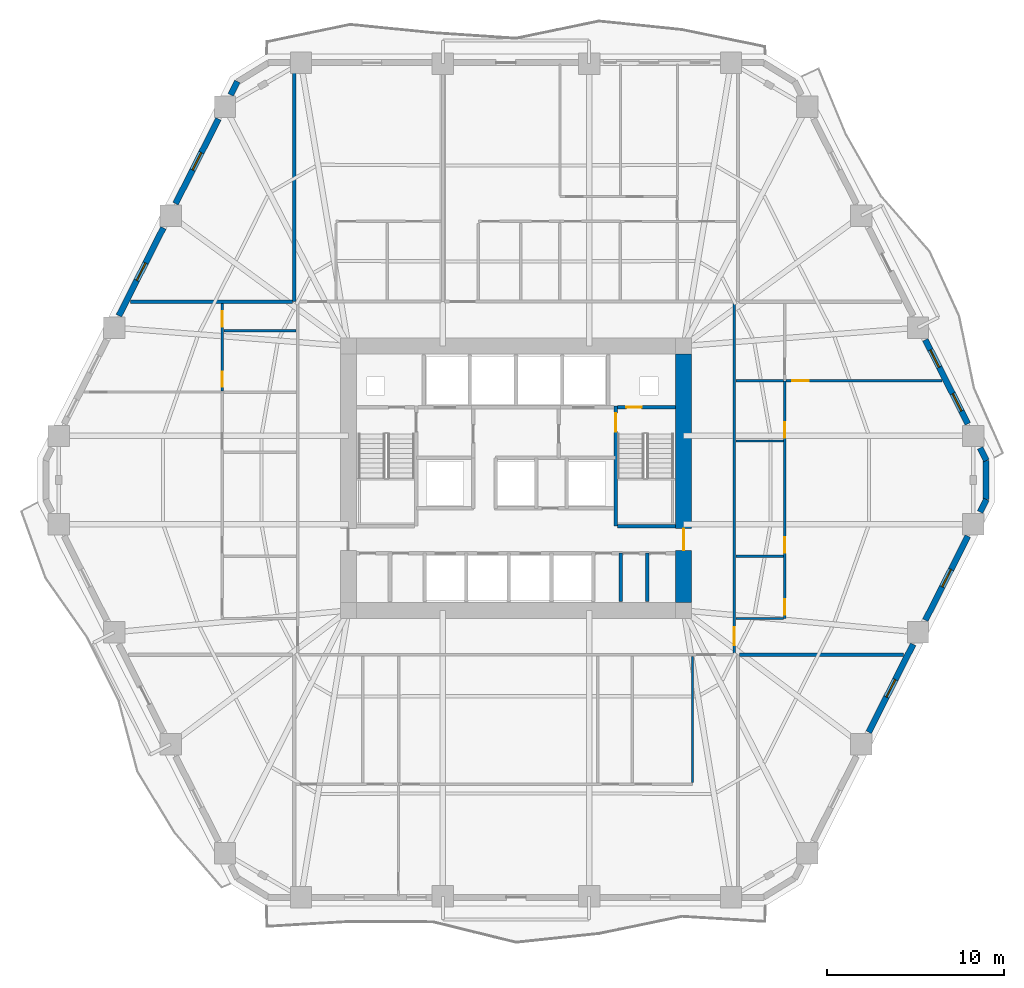
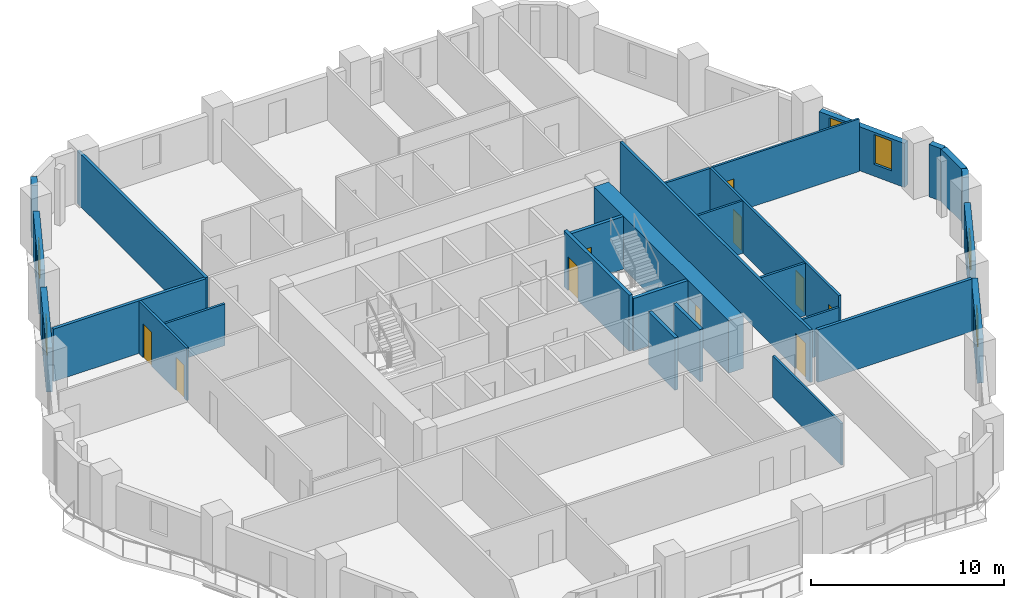
# One storey, part 6 of 11: 28 walls, 10 doors, 6 windows, 16 openings.
"""IFC4 building model written with IfcOpenShell, lengths in metres."""

from ifc_helpers import new_model, si_unit, direction, frame, frame_2d, origin, place, context, subcontext, project, spatial, rectangle, extrude, material, layer, layer_set, type_object, element, fill, save


model = new_model("IFC4")

# Units and contexts
model_context = context("Model", 3, precision=1e-05, world=origin(), true_north=direction((0.0, 1.0)))
body_context = subcontext(model_context, "Body", "Model", "MODEL_VIEW")
ifc_project = project(units=[si_unit("LENGTHUNIT", "METRE"), si_unit("AREAUNIT", "SQUARE_METRE"), si_unit("VOLUMEUNIT", "CUBIC_METRE"), si_unit("PLANEANGLEUNIT", "RADIAN"), si_unit("MASSUNIT", "GRAM", prefix="KILO")], contexts=[model_context])

# Site, building, storey
site_placement = place(None, origin())
site = spatial("IfcSite", under=ifc_project, at=site_placement, CompositionType="ELEMENT")
building_placement = place(site_placement, origin())
building = spatial("IfcBuilding", under=site, at=building_placement, Name="Cinnabar Lancet Tower", CompositionType="ELEMENT")
storey_placement = place(building_placement, frame((0.0, 0.0, 46.199951171875)))
storey = spatial("IfcBuildingStorey", under=building, at=storey_placement, Name="L11", CompositionType="ELEMENT", Elevation=46.199951171875)

# Wall, opening, door
ifc_material_1 = material(Name="Acoustic twin-stud gypsum partition", Category="gypsum")
ifc_layer_1 = layer(ifc_material_1, 0.159912109375)
ifc_layer_set_1 = layer_set([ifc_layer_1], Name="Acoustic twin-stud gypsum partition")
wall_type_1 = type_object("IfcWallType", Name="ARC-WL-CORR-160", PredefinedType="PARTITIONING", material=ifc_layer_set_1)
wall_1_placement = place(storey_placement, frame((44.699951171875, 16.044921875, 0.0), z_axis=(0.0, 0.0, 1.0), x_axis=(0.0, 1.0, 0.0)))
wall_1 = element("IfcWall", 1, at=wall_1_placement, inside=storey, type_object=wall_type_1, Name="UW-L11-E01-COR", PredefinedType="PARTITIONING", context=body_context, shape_type="SweptSolid", body=[
    extrude(rectangle(XDim=19.7099609375, YDim=0.159912109375, at=frame_2d((9.85498046875, 0.0))), origin(), (0.0, 0.0, 1.0), 3.330078125),
])
opening_1_placement = place(wall_1_placement, frame((0.449951171875, 0.0, 0.0)))
opening_1 = element("IfcOpeningElement", 2, at=opening_1_placement, cuts=wall_1, Name="Opening UD-01", PredefinedType="OPENING", context=body_context, shape_type="SweptSolid", body=[
    extrude(rectangle(XDim=1.02001953125, YDim=2.25, at=frame_2d((0.510009765625, 1.125))), frame((0.0, 0.08984375, 0.0), z_axis=(0.0, -1.0, 0.0), x_axis=(1.0, 0.0, 0.0)), (0.0, 0.0, 1.0), 0.179931640625),
])
ifc_material_2 = material(Name="Solid timber fire-rated apartment entrance door", Category="wood")
door_type_1 = type_object("IfcDoorType", Name="ARC-DR-UNIT", OperationType="NOTDEFINED", PredefinedType="DOOR", material=ifc_material_2)
door_1_placement = place(opening_1_placement, origin())
door_1 = element("IfcDoor", 3, at=door_1_placement, inside=storey, type_object=door_type_1, Name="DR-L11-E01-ENT", OperationType="SINGLE_SWING_LEFT", OverallHeight=2.25, OverallWidth=1.02001953125, PredefinedType="DOOR", context=body_context, shape_type="SweptSolid", body=[
    extrude(rectangle(XDim=1.02001953125, YDim=2.25, at=frame_2d((0.510009765625, 1.125))), frame((0.0, 0.02490234375, 0.0), z_axis=(0.0, -1.0, 0.0), x_axis=(1.0, 0.0, 0.0)), (0.0, 0.0, 1.0), 0.050048828125),
])
fill(opening_1, door_1)

# Walls
ifc_material_3 = material(Name="Fire-rated twin-frame acoustic drywall", Category="gypsum")
ifc_layer_2 = layer(ifc_material_3, 0.179931640625)
ifc_layer_set_2 = layer_set([ifc_layer_2], Name="Fire-rated twin-frame acoustic drywall")
wall_type_2 = type_object("IfcWallType", Name="ARC-WL-PARTY-180", PredefinedType="PARTITIONING", material=ifc_layer_set_2)
wall_2_placement = place(storey_placement, frame((19.89990234375, 35.85009765625, 0.0), z_axis=(0.0, 0.0, 1.0), x_axis=(0.0, 1.0, 0.0)))
element("IfcWall", 4, at=wall_2_placement, inside=storey, type_object=wall_type_2, Name="PW-L11-NPTY-199", PredefinedType="PARTITIONING", context=body_context, shape_type="SweptSolid", body=[
    extrude(rectangle(XDim=13.294921875, YDim=0.179931640625, at=frame_2d((6.6474609375, 0.0))), origin(), (0.0, 0.0, 1.0), 3.330078125),
])
wall_3_placement = place(storey_placement, frame((44.9951171875, 15.949951171875, 0.0), z_axis=(0.0, 0.0, 1.0), x_axis=(1.0, 0.0, 0.0)))
element("IfcWall", 5, at=wall_3_placement, inside=storey, type_object=wall_type_2, Name="PW-L11-ESB", PredefinedType="PARTITIONING", context=body_context, shape_type="SweptSolid", body=[
    extrude(rectangle(XDim=9.240966796875, YDim=0.179931640625, at=frame_2d((4.62060546875, 0.0))), origin(), (0.0, 0.0, 1.0), 3.330078125),
])
wall_4_placement = place(storey_placement, frame((10.6650390625, 35.85009765625, 0.0), z_axis=(0.0, 0.0, 1.0), x_axis=(1.0, 0.0, 0.0)))
element("IfcWall", 6, at=wall_4_placement, inside=storey, type_object=wall_type_2, Name="PW-L11-WNB", PredefinedType="PARTITIONING", context=body_context, shape_type="SweptSolid", body=[
    extrude(rectangle(XDim=9.139892578125, YDim=0.179931640625, at=frame_2d((4.56982421875, 0.0))), origin(), (0.0, 0.0, 1.0), 3.330078125),
])
ifc_material_4 = material(Name="Autoclaved aerated concrete blockwork", Category="masonry")
ifc_layer_3 = layer(ifc_material_4, 0.199951171875)
ifc_layer_set_3 = layer_set([ifc_layer_3], Name="Autoclaved aerated concrete blockwork")
wall_type_3 = type_object("IfcWallType", Name="ARC-WL-SHAFT-200", PredefinedType="PLUMBINGWALL", material=ifc_layer_set_3)
wall_5_placement = place(storey_placement, frame((38.125, 23.199951171875, 0.0), z_axis=(0.0, 0.0, 1.0), x_axis=(1.0, 0.0, 0.0)))
element("IfcWall", 7, at=wall_5_placement, inside=storey, type_object=wall_type_3, Name="CW-ST2S-L11", PredefinedType="PLUMBINGWALL", context=body_context, shape_type="SweptSolid", body=[
    extrude(rectangle(XDim=3.27001953125, YDim=0.199951171875, at=frame_2d((1.635009765625, 0.0))), origin(), (0.0, 0.0, 1.0), 3.330078125),
])

# Wall, opening, door
wall_6_placement = place(storey_placement, frame((38.125, 29.89990234375, 0.0), z_axis=(0.0, 0.0, 1.0), x_axis=(1.0, 0.0, 0.0)))
wall_6 = element("IfcWall", 8, at=wall_6_placement, inside=storey, type_object=wall_type_3, Name="CW-NSH-E-L11", PredefinedType="PLUMBINGWALL", context=body_context, shape_type="SweptSolid", body=[
    extrude(rectangle(XDim=3.27001953125, YDim=0.199951171875, at=frame_2d((1.635009765625, 0.0))), origin(), (0.0, 0.0, 1.0), 3.330078125),
])
opening_2_placement = place(wall_6_placement, frame((0.5, 0.0, 0.0)))
opening_2 = element("IfcOpeningElement", 9, at=opening_2_placement, cuts=wall_6, Name="Opening PD-02", PredefinedType="OPENING", context=body_context, shape_type="SweptSolid", body=[
    extrude(rectangle(XDim=0.85009765625, YDim=2.050048828125, at=frame_2d((0.425048828125, 1.02490234375))), frame((0.0, 0.10986328125, 0.0), z_axis=(0.0, -1.0, 0.0), x_axis=(1.0, 0.0, 0.0)), (0.0, 0.0, 1.0), 0.219970703125),
])
ifc_material_5 = material(Name="Fire-rated steel riser access door", Category="steel")
door_type_2 = type_object("IfcDoorType", Name="ARC-DR-RISER", OperationType="NOTDEFINED", PredefinedType="DOOR", material=ifc_material_5)
door_2_placement = place(opening_2_placement, origin())
door_2 = element("IfcDoor", 10, at=door_2_placement, inside=storey, type_object=door_type_2, Name="L11 East Riser Access Door", OperationType="SINGLE_SWING_RIGHT", OverallHeight=2.050048828125, OverallWidth=0.85009765625, PredefinedType="DOOR", context=body_context, shape_type="SweptSolid", body=[
    extrude(rectangle(XDim=0.85009765625, YDim=2.050048828125, at=frame_2d((0.425048828125, 1.02490234375))), frame((0.0, 0.02490234375, 0.0), z_axis=(0.0, -1.0, 0.0), x_axis=(1.0, 0.0, 0.0)), (0.0, 0.0, 1.0), 0.050048828125),
])
fill(opening_2, door_2)

# Walls
for number, where, z_axis, x_axis, name in (
    (11, (38.300048828125, 18.949951171875, 0.0), (0.0, 0.0, 1.0), (0.0, 1.0, 0.0), "CW-SBC2-383-L11"),
    (12, (39.800048828125, 18.949951171875, 0.0), (0.0, 0.0, 1.0), (0.0, 1.0, 0.0), "CW-SBC2-398-L11"),
):
    element("IfcWall", number, at=place(storey_placement, frame(where, z_axis=z_axis, x_axis=x_axis)), inside=storey, type_object=wall_type_3, Name=name, PredefinedType="PLUMBINGWALL", context=body_context, shape_type="SweptSolid", body=[
        extrude(rectangle(XDim=2.72998046875, YDim=0.199951171875, at=frame_2d((1.364990234375, 0.0))), origin(), (0.0, 0.0, 1.0), 3.330078125),
    ])
ifc_material_6 = material(Name="Gypsum plasterboard stud partition", Category="gypsum")
ifc_layer_4 = layer(ifc_material_6, 0.125)
ifc_layer_set_4 = layer_set([ifc_layer_4], Name="Gypsum plasterboard stud partition")
wall_type_4 = type_object("IfcWallType", Name="ARC-WL-UNIT-125", PredefinedType="PARTITIONING", material=ifc_layer_set_4)
wall_7_placement = place(storey_placement, frame((42.35009765625, 8.76806640625, 0.0), z_axis=(0.0, 0.0, 1.0), x_axis=(0.0, 1.0, 0.0)))
element("IfcWall", 13, at=wall_7_placement, inside=storey, type_object=wall_type_4, Name="UW-L11-S01-FOYW", PredefinedType="PARTITIONING", context=body_context, shape_type="SweptSolid", body=[
    extrude(rectangle(XDim=7.096923828125, YDim=0.125, at=frame_2d((3.54833984375, 0.0))), origin(), (0.0, 0.0, 1.0), 2.636962890625),
])
wall_8_placement = place(storey_placement, frame((44.784912109375, 18.0, 0.0), z_axis=(0.0, 0.0, 1.0), x_axis=(1.0, 0.0, 0.0)))
element("IfcWall", 14, at=wall_8_placement, inside=storey, type_object=wall_type_4, Name="UW-L11-E01-FOYN", PredefinedType="PARTITIONING", context=body_context, shape_type="SweptSolid", body=[
    extrude(rectangle(XDim=2.68017578125, YDim=0.125, at=frame_2d((1.340087890625, 0.0))), origin(), (0.0, 0.0, 1.0), 2.636962890625),
])

# Wall, opening, door
wall_9_placement = place(storey_placement, frame((47.625, 31.39208984375, 0.0), z_axis=(0.0, 0.0, 1.0), x_axis=(1.0, 0.0, 0.0)))
wall_9 = element("IfcWall", 15, at=wall_9_placement, inside=storey, type_object=wall_type_4, Name="UW-L11-E01-MBN", PredefinedType="PARTITIONING", context=body_context, shape_type="SweptSolid", body=[
    extrude(rectangle(XDim=8.781005859375, YDim=0.125, at=frame_2d((4.390625, 0.0))), origin(), (0.0, 0.0, 1.0), 3.330078125),
])
opening_3_placement = place(wall_9_placement, frame((0.35009765625, 0.0, 0.0)))
opening_3 = element("IfcOpeningElement", 16, at=opening_3_placement, cuts=wall_9, Name="Opening RD-01", PredefinedType="OPENING", context=body_context, shape_type="SweptSolid", body=[
    extrude(rectangle(XDim=0.919921875, YDim=2.14990234375, at=frame_2d((0.4599609375, 1.074951171875))), frame((0.0, 0.072509765625, 0.0), z_axis=(0.0, -1.0, 0.0), x_axis=(1.0, 0.0, 0.0)), (0.0, 0.0, 1.0), 0.14501953125),
])
ifc_material_7 = material(Name="Engineered timber bedroom door", Category="wood")
door_type_3 = type_object("IfcDoorType", Name="ARC-DR-ROOM", OperationType="NOTDEFINED", PredefinedType="DOOR", material=ifc_material_7)
door_3_placement = place(opening_3_placement, origin())
door_3 = element("IfcDoor", 17, at=door_3_placement, inside=storey, type_object=door_type_3, Name="DR-L11-E01-MBD", OperationType="SINGLE_SWING_LEFT", OverallHeight=2.14990234375, OverallWidth=0.919921875, PredefinedType="DOOR", context=body_context, shape_type="SweptSolid", body=[
    extrude(rectangle(XDim=0.919921875, YDim=2.14990234375, at=frame_2d((0.4599609375, 1.074951171875))), frame((0.0, 0.02490234375, 0.0), z_axis=(0.0, -1.0, 0.0), x_axis=(1.0, 0.0, 0.0)), (0.0, 0.0, 1.0), 0.050048828125),
])
fill(opening_3, door_3)

# Wall
wall_10_placement = place(storey_placement, frame((44.784912109375, 27.991943359375, 0.0), z_axis=(0.0, 0.0, 1.0), x_axis=(1.0, 0.0, 0.0)))
element("IfcWall", 18, at=wall_10_placement, inside=storey, type_object=wall_type_4, Name="UW-L11-E01-UDV", PredefinedType="PARTITIONING", context=body_context, shape_type="SweptSolid", body=[
    extrude(rectangle(XDim=2.68017578125, YDim=0.125, at=frame_2d((1.340087890625, 0.0))), origin(), (0.0, 0.0, 1.0), 3.330078125),
])

# Wall, openings, doors
ifc_material_8 = material(Name="Moisture-resistant cement-board plumbing wall", Category="masonry")
ifc_layer_5 = layer(ifc_material_8, 0.139892578125)
ifc_layer_set_5 = layer_set([ifc_layer_5], Name="Moisture-resistant cement-board plumbing wall")
wall_type_5 = type_object("IfcWallType", Name="ARC-WL-WET-140", PredefinedType="PLUMBINGWALL", material=ifc_layer_set_5)
wall_11_placement = place(storey_placement, frame((15.85009765625, 30.824951171875, 0.0), z_axis=(0.0, 0.0, 1.0), x_axis=(0.0, 1.0, 0.0)))
wall_11 = element("IfcWall", 19, at=wall_11_placement, inside=storey, type_object=wall_type_5, Name="UW-L11-W01-SPM", PredefinedType="PLUMBINGWALL", context=body_context, shape_type="SweptSolid", body=[
    extrude(rectangle(XDim=4.929931640625, YDim=0.139892578125, at=frame_2d((2.46484375, 0.0))), origin(), (0.0, 0.0, 1.0), 3.330078125),
])
opening_4_placement = place(wall_11_placement, frame((0.219970703125, 0.0, 0.0)))
opening_4 = element("IfcOpeningElement", 20, at=opening_4_placement, cuts=wall_11, Name="Opening BD-01", PredefinedType="OPENING", context=body_context, shape_type="SweptSolid", body=[
    extrude(rectangle(XDim=0.860107421875, YDim=2.10009765625, at=frame_2d((0.43017578125, 1.050048828125))), frame((0.0, 0.079833984375, 0.0), z_axis=(0.0, -1.0, 0.0), x_axis=(1.0, 0.0, 0.0)), (0.0, 0.0, 1.0), 0.159912109375),
])
opening_5_placement = place(wall_11_placement, frame((3.611083984375, 0.0, 0.0)))
opening_5 = element("IfcOpeningElement", 21, at=opening_5_placement, cuts=wall_11, Name="Opening RD-02", PredefinedType="OPENING", context=body_context, shape_type="SweptSolid", body=[
    extrude(rectangle(XDim=0.8798828125, YDim=2.14990234375, at=frame_2d((0.43994140625, 1.074951171875))), frame((0.0, 0.079833984375, 0.0), z_axis=(0.0, -1.0, 0.0), x_axis=(1.0, 0.0, 0.0)), (0.0, 0.0, 1.0), 0.159912109375),
])
ifc_material_9 = material(Name="Moisture-resistant timber bathroom door", Category="wood")
door_type_4 = type_object("IfcDoorType", Name="ARC-DR-BATH", OperationType="NOTDEFINED", PredefinedType="DOOR", material=ifc_material_9)
door_4_placement = place(opening_4_placement, origin())
door_4 = element("IfcDoor", 22, at=door_4_placement, inside=storey, type_object=door_type_4, Name="DR-L11-W01-ENS", OperationType="SINGLE_SWING_RIGHT", OverallHeight=2.10009765625, OverallWidth=0.860107421875, PredefinedType="DOOR", context=body_context, shape_type="SweptSolid", body=[
    extrude(rectangle(XDim=0.860107421875, YDim=2.10009765625, at=frame_2d((0.43017578125, 1.050048828125))), frame((0.0, 0.02490234375, 0.0), z_axis=(0.0, -1.0, 0.0), x_axis=(1.0, 0.0, 0.0)), (0.0, 0.0, 1.0), 0.050048828125),
])
fill(opening_4, door_4)
ifc_material_10 = material(Name="Engineered timber study door", Category="wood")
door_type_5 = type_object("IfcDoorType", Name="ARC-DR-STUDY", OperationType="NOTDEFINED", PredefinedType="DOOR", material=ifc_material_10)
door_5_placement = place(opening_5_placement, origin())
door_5 = element("IfcDoor", 23, at=door_5_placement, inside=storey, type_object=door_type_5, Name="DR-L11-W01-EWDR", OperationType="SINGLE_SWING_LEFT", OverallHeight=2.14990234375, OverallWidth=0.8798828125, PredefinedType="DOOR", context=body_context, shape_type="SweptSolid", body=[
    extrude(rectangle(XDim=0.8798828125, YDim=2.14990234375, at=frame_2d((0.43994140625, 1.074951171875))), frame((0.0, 0.02490234375, 0.0), z_axis=(0.0, -1.0, 0.0), x_axis=(1.0, 0.0, 0.0)), (0.0, 0.0, 1.0), 0.050048828125),
])
fill(opening_5, door_5)

# Wall
wall_12_placement = place(storey_placement, frame((15.93505859375, 34.216064453125, 0.0), z_axis=(0.0, 0.0, 1.0), x_axis=(1.0, 0.0, 0.0)))
element("IfcWall", 24, at=wall_12_placement, inside=storey, type_object=wall_type_5, Name="UW-L11-W01-EWDV", PredefinedType="PLUMBINGWALL", context=body_context, shape_type="SweptSolid", body=[
    extrude(rectangle(XDim=4.079833984375, YDim=0.139892578125, at=frame_2d((2.0400390625, 0.0))), origin(), (0.0, 0.0, 1.0), 2.636962890625),
])

# Wall, openings, doors
wall_13_placement = place(storey_placement, frame((47.550048828125, 18.0, 0.0), z_axis=(0.0, 0.0, 1.0), x_axis=(0.0, 1.0, 0.0)))
wall_13 = element("IfcWall", 25, at=wall_13_placement, inside=storey, type_object=wall_type_5, Name="UW-L11-E01-SPL", PredefinedType="PLUMBINGWALL", context=body_context, shape_type="SweptSolid", body=[
    extrude(rectangle(XDim=13.39208984375, YDim=0.139892578125, at=frame_2d((6.696044921875, 0.0))), origin(), (0.0, 0.0, 1.0), 3.330078125),
])
opening_6_placement = place(wall_13_placement, frame((0.199951171875, 0.0, 0.0)))
opening_6 = element("IfcOpeningElement", 26, at=opening_6_placement, cuts=wall_13, Name="Opening RD-02", PredefinedType="OPENING", context=body_context, shape_type="SweptSolid", body=[
    extrude(rectangle(XDim=0.8798828125, YDim=2.14990234375, at=frame_2d((0.43994140625, 1.074951171875))), frame((0.0, 0.079833984375, 0.0), z_axis=(0.0, -1.0, 0.0), x_axis=(1.0, 0.0, 0.0)), (0.0, 0.0, 1.0), 0.159912109375),
])
opening_7_placement = place(wall_13_placement, frame((3.699951171875, 0.0, 0.0)))
opening_7 = element("IfcOpeningElement", 27, at=opening_7_placement, cuts=wall_13, Name="Opening RD-02", PredefinedType="OPENING", context=body_context, shape_type="SweptSolid", body=[
    extrude(rectangle(XDim=0.8798828125, YDim=2.14990234375, at=frame_2d((0.43994140625, 1.074951171875))), frame((0.0, 0.079833984375, 0.0), z_axis=(0.0, -1.0, 0.0), x_axis=(1.0, 0.0, 0.0)), (0.0, 0.0, 1.0), 0.159912109375),
])
opening_8_placement = place(wall_13_placement, frame((10.19189453125, 0.0, 0.0)))
opening_8 = element("IfcOpeningElement", 28, at=opening_8_placement, cuts=wall_13, Name="Opening BD-01", PredefinedType="OPENING", context=body_context, shape_type="SweptSolid", body=[
    extrude(rectangle(XDim=0.860107421875, YDim=2.10009765625, at=frame_2d((0.43017578125, 1.050048828125))), frame((0.0, 0.079833984375, 0.0), z_axis=(0.0, -1.0, 0.0), x_axis=(1.0, 0.0, 0.0)), (0.0, 0.0, 1.0), 0.159912109375),
])
door_6_placement = place(opening_8_placement, origin())
door_6 = element("IfcDoor", 29, at=door_6_placement, inside=storey, type_object=door_type_4, Name="DR-L11-E01-BTH", OperationType="SINGLE_SWING_RIGHT", OverallHeight=2.10009765625, OverallWidth=0.860107421875, PredefinedType="DOOR", context=body_context, shape_type="SweptSolid", body=[
    extrude(rectangle(XDim=0.860107421875, YDim=2.10009765625, at=frame_2d((0.43017578125, 1.050048828125))), frame((0.0, 0.02490234375, 0.0), z_axis=(0.0, -1.0, 0.0), x_axis=(1.0, 0.0, 0.0)), (0.0, 0.0, 1.0), 0.050048828125),
])
fill(opening_8, door_6)
door_7_placement = place(opening_6_placement, origin())
door_7 = element("IfcDoor", 30, at=door_7_placement, inside=storey, type_object=door_type_5, Name="DR-L11-E01-KIT", OperationType="SINGLE_SWING_RIGHT", OverallHeight=2.14990234375, OverallWidth=0.8798828125, PredefinedType="DOOR", context=body_context, shape_type="SweptSolid", body=[
    extrude(rectangle(XDim=0.8798828125, YDim=2.14990234375, at=frame_2d((0.43994140625, 1.074951171875))), frame((0.0, 0.02490234375, 0.0), z_axis=(0.0, -1.0, 0.0), x_axis=(1.0, 0.0, 0.0)), (0.0, 0.0, 1.0), 0.050048828125),
])
fill(opening_6, door_7)
door_8_placement = place(opening_7_placement, origin())
door_8 = element("IfcDoor", 31, at=door_8_placement, inside=storey, type_object=door_type_5, Name="DR-L11-E01-UTL", OperationType="SINGLE_SWING_LEFT", OverallHeight=2.14990234375, OverallWidth=0.8798828125, PredefinedType="DOOR", context=body_context, shape_type="SweptSolid", body=[
    extrude(rectangle(XDim=0.8798828125, YDim=2.14990234375, at=frame_2d((0.43994140625, 1.074951171875))), frame((0.0, 0.02490234375, 0.0), z_axis=(0.0, -1.0, 0.0), x_axis=(1.0, 0.0, 0.0)), (0.0, 0.0, 1.0), 0.050048828125),
])
fill(opening_7, door_8)

# Walls
for number, where, z_axis, x_axis, name in (
    (32, (44.784912109375, 31.39208984375, 0.0), (0.0, 0.0, 1.0), (1.0, 0.0, 0.0), "UW-L11-E01-ENSN"),
    (33, (44.784912109375, 21.5, 0.0), (0.0, 0.0, 1.0), (1.0, 0.0, 0.0), "UW-L11-E01-KDV"),
):
    element("IfcWall", number, at=place(storey_placement, frame(where, z_axis=z_axis, x_axis=x_axis)), inside=storey, type_object=wall_type_5, Name=name, PredefinedType="PLUMBINGWALL", context=body_context, shape_type="SweptSolid", body=[
        extrude(rectangle(XDim=2.68017578125, YDim=0.139892578125, at=frame_2d((1.340087890625, 0.0))), origin(), (0.0, 0.0, 1.0), 3.330078125),
    ])
ifc_material_11 = material(Name="Cinnabar red clay brick", Category="masonry")
ifc_layer_6 = layer(ifc_material_11, 0.340087890625)
ifc_layer_set_6 = layer_set([ifc_layer_6], Name="Cinnabar red clay brick")
wall_type_6 = type_object("IfcWallType", Name="ENV-WL-BRK-RED-340", PredefinedType="STANDARD", material=ifc_layer_set_6)
wall_14_placement = place(storey_placement, frame((58.887939453125, 24.714111328125, 0.0), z_axis=(0.0, 0.0, 1.0), x_axis=(0.0, 1.0, 0.0)))
element("IfcWall", 34, at=wall_14_placement, inside=storey, type_object=wall_type_6, Name="L11 Chamfered Corner Brick Pier 3.1", PredefinedType="STANDARD", context=body_context, shape_type="SweptSolid", body=[
    extrude(rectangle(XDim=2.171875, YDim=0.340087890625, at=frame_2d((1.0859375, 0.0))), origin(), (0.0, 0.0, 1.0), 3.330078125),
])

# Wall, opening, window
wall_15_placement = place(storey_placement, frame((52.27099609375, 11.590087890625, 0.0), z_axis=(0.0, 0.0, 1.0), x_axis=(0.451592100298, 0.892224509273, 0.0)))
wall_15 = element("IfcWall", 35, at=wall_15_placement, inside=storey, type_object=wall_type_6, Name="L11 Face 2 Masonry Bay Wall 3", PredefinedType="STANDARD", context=body_context, shape_type="SweptSolid", body=[
    extrude(rectangle(XDim=5.546875, YDim=0.340087890625, at=frame_2d((2.7734375, 0.0))), origin(), (0.0, 0.0, 1.0), 2.787109375),
])
opening_9_placement = place(wall_15_placement, frame((2.222900390625, 0.0, 0.75)))
opening_9 = element("IfcOpeningElement", 36, at=opening_9_placement, cuts=wall_15, Name="Opening WN-04", PredefinedType="OPENING", context=body_context, shape_type="SweptSolid", body=[
    extrude(rectangle(XDim=1.10009765625, YDim=1.886962890625, at=frame_2d((0.550048828125, 0.943359375))), frame((0.0, 0.179931640625, 0.0), z_axis=(0.0, -1.0, 0.0), x_axis=(1.0, 0.0, 0.0)), (0.0, 0.0, 1.0), 0.360107421875),
])
ifc_material_12 = material(Name="Thermally broken bronze-anodized aluminium tall lancet window", Category="aluminium")
window_type = type_object("IfcWindowType", Name="ENV-WN-LANCET-1100", PartitioningType="SINGLE_PANEL", PredefinedType="WINDOW", material=ifc_material_12)
window_1_placement = place(opening_9_placement, origin())
window_1 = element("IfcWindow", 37, at=window_1_placement, inside=storey, type_object=window_type, Name="L11 Face 2 Gothic Lancet Window 3", OverallHeight=1.886962890625, OverallWidth=1.10009765625, PartitioningType="SINGLE_PANEL", PredefinedType="WINDOW", context=body_context, shape_type="SweptSolid", body=[
    extrude(rectangle(XDim=1.10009765625, YDim=1.886962890625, at=frame_2d((0.550048828125, 0.943359375))), frame((0.0, 0.030029296875, 0.0), z_axis=(0.0, -1.0, 0.0), x_axis=(1.0, 0.0, 0.0)), (0.0, 0.0, 1.0), 0.06005859375),
])
fill(opening_9, window_1)

wall_16_placement = place(storey_placement, frame((55.465087890625, 17.90087890625, 0.0), z_axis=(0.0, 0.0, 1.0), x_axis=(0.451572088722, 0.892234637686, 0.0)))
wall_16 = element("IfcWall", 38, at=wall_16_placement, inside=storey, type_object=wall_type_6, Name="L11 Face 2 Masonry Bay Wall 4", PredefinedType="STANDARD", context=body_context, shape_type="SweptSolid", body=[
    extrude(rectangle(XDim=5.3037109375, YDim=0.340087890625, at=frame_2d((2.65185546875, 0.0))), origin(), (0.0, 0.0, 1.0), 2.787109375),
])
opening_10_placement = place(wall_16_placement, frame((2.10205078125, 0.0, 0.75)))
opening_10 = element("IfcOpeningElement", 39, at=opening_10_placement, cuts=wall_16, Name="Opening WN-04", PredefinedType="OPENING", context=body_context, shape_type="SweptSolid", body=[
    extrude(rectangle(XDim=1.10009765625, YDim=1.886962890625, at=frame_2d((0.550048828125, 0.943359375))), frame((0.0, 0.179931640625, 0.0), z_axis=(0.0, -1.0, 0.0), x_axis=(1.0, 0.0, 0.0)), (0.0, 0.0, 1.0), 0.360107421875),
])
window_2_placement = place(opening_10_placement, origin())
window_2 = element("IfcWindow", 40, at=window_2_placement, inside=storey, type_object=window_type, Name="L11 Face 2 Gothic Lancet Window 4", OverallHeight=1.886962890625, OverallWidth=1.10009765625, PartitioningType="SINGLE_PANEL", PredefinedType="WINDOW", context=body_context, shape_type="SweptSolid", body=[
    extrude(rectangle(XDim=1.10009765625, YDim=1.886962890625, at=frame_2d((0.550048828125, 0.943359375))), frame((0.0, 0.030029296875, 0.0), z_axis=(0.0, -1.0, 0.0), x_axis=(1.0, 0.0, 0.0)), (0.0, 0.0, 1.0), 0.06005859375),
])
fill(opening_10, window_2)

# Walls
for number, where, z_axis, x_axis, name in (
    (41, (58.548095703125, 23.9951171875, 0.0), (0.0, 0.0, 1.0), (0.452101093511, 0.891966704113, 0.0), "L11 Face 2 Masonry Bay Wall 5"),
    (42, (58.908935546875, 26.89306640625, 0.0), (0.0, 0.0, 1.0), (-0.452101093511, 0.891966704113, 0.0), "L11 Face 3 Masonry Bay Wall 1"),
):
    element("IfcWall", number, at=place(storey_placement, frame(where, z_axis=z_axis, x_axis=x_axis)), inside=storey, type_object=wall_type_6, Name=name, PredefinedType="STANDARD", context=body_context, shape_type="SweptSolid", body=[
        extrude(rectangle(XDim=0.798095703125, YDim=0.340087890625, at=frame_2d((0.39892578125, 0.0))), origin(), (0.0, 0.0, 1.0), 3.330078125),
    ])

# Wall, openings, windows
wall_17_placement = place(storey_placement, frame((57.860107421875, 28.967041015625, 0.0), z_axis=(0.0, 0.0, 1.0), x_axis=(-0.451590635984, 0.892225250422, 0.0)))
wall_17 = element("IfcWall", 43, at=wall_17_placement, inside=storey, type_object=wall_type_6, Name="L11 Face 3 Masonry Bay Wall 2", PredefinedType="STANDARD", context=body_context, shape_type="SweptSolid", body=[
    extrude(rectangle(XDim=5.303466796875, YDim=0.340087890625, at=frame_2d((2.65185546875, 0.0))), origin(), (0.0, 0.0, 1.0), 2.787109375),
])
opening_11_placement = place(wall_17_placement, frame((0.800048828125, 0.0, 0.75)))
opening_11 = element("IfcOpeningElement", 44, at=opening_11_placement, cuts=wall_17, Name="Opening WN-04", PredefinedType="OPENING", context=body_context, shape_type="SweptSolid", body=[
    extrude(rectangle(XDim=1.10009765625, YDim=1.886962890625, at=frame_2d((0.550048828125, 0.943359375))), frame((0.0, 0.179931640625, 0.0), z_axis=(0.0, -1.0, 0.0), x_axis=(1.0, 0.0, 0.0)), (0.0, 0.0, 1.0), 0.360107421875),
])
opening_12_placement = place(wall_17_placement, frame((3.572021484375, 0.0, 0.75)))
opening_12 = element("IfcOpeningElement", 45, at=opening_12_placement, cuts=wall_17, Name="Opening WN-04", PredefinedType="OPENING", context=body_context, shape_type="SweptSolid", body=[
    extrude(rectangle(XDim=1.10009765625, YDim=1.886962890625, at=frame_2d((0.550048828125, 0.943359375))), frame((0.0, 0.179931640625, 0.0), z_axis=(0.0, -1.0, 0.0), x_axis=(1.0, 0.0, 0.0)), (0.0, 0.0, 1.0), 0.360107421875),
])
window_3_placement = place(opening_11_placement, origin())
window_3 = element("IfcWindow", 46, at=window_3_placement, inside=storey, type_object=window_type, Name="L11 Face 3 Gothic Lancet Window 2", OverallHeight=1.886962890625, OverallWidth=1.10009765625, PartitioningType="SINGLE_PANEL", PredefinedType="WINDOW", context=body_context, shape_type="SweptSolid", body=[
    extrude(rectangle(XDim=1.10009765625, YDim=1.886962890625, at=frame_2d((0.550048828125, 0.943359375))), frame((0.0, 0.030029296875, 0.0), z_axis=(0.0, -1.0, 0.0), x_axis=(1.0, 0.0, 0.0)), (0.0, 0.0, 1.0), 0.06005859375),
])
fill(opening_11, window_3)
window_4_placement = place(opening_12_placement, origin())
window_4 = element("IfcWindow", 47, at=window_4_placement, inside=storey, type_object=window_type, Name="L11 Split-Bay Gothic Lancet Window 21", OverallHeight=1.886962890625, OverallWidth=1.10009765625, PartitioningType="SINGLE_PANEL", PredefinedType="WINDOW", context=body_context, shape_type="SweptSolid", body=[
    extrude(rectangle(XDim=1.10009765625, YDim=1.886962890625, at=frame_2d((0.550048828125, 0.943359375))), frame((0.0, 0.030029296875, 0.0), z_axis=(0.0, -1.0, 0.0), x_axis=(1.0, 0.0, 0.0)), (0.0, 0.0, 1.0), 0.06005859375),
])
fill(opening_12, window_4)

# Wall
wall_18_placement = place(storey_placement, frame((16.699951171875, 48.25390625, 0.0), z_axis=(0.0, 0.0, 1.0), x_axis=(-0.451995771866, -0.892020079491, 0.0)))
element("IfcWall", 48, at=wall_18_placement, inside=storey, type_object=wall_type_6, Name="L11 Face 5 Masonry Bay Wall 1", PredefinedType="STANDARD", context=body_context, shape_type="SweptSolid", body=[
    extrude(rectangle(XDim=0.836181640625, YDim=0.340087890625, at=frame_2d((0.41796875, 0.0))), origin(), (0.0, 0.0, 1.0), 3.330078125),
])

# Wall, opening, window
wall_19_placement = place(storey_placement, frame((15.634033203125, 46.14599609375, 0.0), z_axis=(0.0, 0.0, 1.0), x_axis=(-0.451697561555, -0.892171123095, 0.0)))
wall_19 = element("IfcWall", 49, at=wall_19_placement, inside=storey, type_object=wall_type_6, Name="L11 Face 5 Masonry Bay Wall 2", PredefinedType="STANDARD", context=body_context, shape_type="SweptSolid", body=[
    extrude(rectangle(XDim=5.350830078125, YDim=0.340087890625, at=frame_2d((2.67529296875, 0.0))), origin(), (0.0, 0.0, 1.0), 2.787109375),
])
opening_13_placement = place(wall_19_placement, frame((2.125, 0.0, 0.75)))
opening_13 = element("IfcOpeningElement", 50, at=opening_13_placement, cuts=wall_19, Name="Opening WN-04", PredefinedType="OPENING", context=body_context, shape_type="SweptSolid", body=[
    extrude(rectangle(XDim=1.10009765625, YDim=1.886962890625, at=frame_2d((0.550048828125, 0.943359375))), frame((0.0, 0.179931640625, 0.0), z_axis=(0.0, -1.0, 0.0), x_axis=(1.0, 0.0, 0.0)), (0.0, 0.0, 1.0), 0.360107421875),
])
window_5_placement = place(opening_13_placement, origin())
window_5 = element("IfcWindow", 51, at=window_5_placement, inside=storey, type_object=window_type, Name="L11 Face 5 Gothic Lancet Window 2", OverallHeight=1.886962890625, OverallWidth=1.10009765625, PartitioningType="SINGLE_PANEL", PredefinedType="WINDOW", context=body_context, shape_type="SweptSolid", body=[
    extrude(rectangle(XDim=1.10009765625, YDim=1.886962890625, at=frame_2d((0.550048828125, 0.943359375))), frame((0.0, 0.030029296875, 0.0), z_axis=(0.0, -1.0, 0.0), x_axis=(1.0, 0.0, 0.0)), (0.0, 0.0, 1.0), 0.06005859375),
])
fill(opening_13, window_5)

wall_20_placement = place(storey_placement, frame((12.529052734375, 40.010009765625, 0.0), z_axis=(0.0, 0.0, 1.0), x_axis=(-0.451627137896, -0.892206774417, 0.0)))
wall_20 = element("IfcWall", 52, at=wall_20_placement, inside=storey, type_object=wall_type_6, Name="L11 Face 5 Masonry Bay Wall 3", PredefinedType="STANDARD", context=body_context, shape_type="SweptSolid", body=[
    extrude(rectangle(XDim=5.546875, YDim=0.340087890625, at=frame_2d((2.7734375, 0.0))), origin(), (0.0, 0.0, 1.0), 2.787109375),
])
opening_14_placement = place(wall_20_placement, frame((2.222900390625, 0.0, 0.75)))
opening_14 = element("IfcOpeningElement", 53, at=opening_14_placement, cuts=wall_20, Name="Opening WN-04", PredefinedType="OPENING", context=body_context, shape_type="SweptSolid", body=[
    extrude(rectangle(XDim=1.10009765625, YDim=1.886962890625, at=frame_2d((0.550048828125, 0.943359375))), frame((0.0, 0.179931640625, 0.0), z_axis=(0.0, -1.0, 0.0), x_axis=(1.0, 0.0, 0.0)), (0.0, 0.0, 1.0), 0.360107421875),
])
window_6_placement = place(opening_14_placement, origin())
window_6 = element("IfcWindow", 54, at=window_6_placement, inside=storey, type_object=window_type, Name="L11 Face 5 Gothic Lancet Window 3", OverallHeight=1.886962890625, OverallWidth=1.10009765625, PartitioningType="SINGLE_PANEL", PredefinedType="WINDOW", context=body_context, shape_type="SweptSolid", body=[
    extrude(rectangle(XDim=1.10009765625, YDim=1.886962890625, at=frame_2d((0.550048828125, 0.943359375))), frame((0.0, 0.030029296875, 0.0), z_axis=(0.0, -1.0, 0.0), x_axis=(1.0, 0.0, 0.0)), (0.0, 0.0, 1.0), 0.06005859375),
])
fill(opening_14, window_6)

# Wall, opening, door
ifc_material_13 = material(Name="Concrete C80/95", Category="concrete")
ifc_layer_7 = layer(ifc_material_13, 0.89990234375)
ifc_layer_set_7 = layer_set([ifc_layer_7], Name="Concrete C80/95")
wall_type_7 = type_object("IfcWallType", Name="STR-WL-CORE-900", PredefinedType="SHEAR", material=ifc_layer_set_7)
wall_21_placement = place(storey_placement, frame((41.85009765625, 18.89990234375, 0.0), z_axis=(0.0, 0.0, 1.0), x_axis=(0.0, 1.0, 0.0)))
wall_21 = element("IfcWall", 55, at=wall_21_placement, inside=storey, type_object=wall_type_7, Name="L11 Core Shear Wall E", PredefinedType="SHEAR", context=body_context, shape_type="SweptSolid", body=[
    extrude(rectangle(XDim=14.0, YDim=0.89990234375, at=frame_2d((7.0, 0.0))), origin(), (0.0, 0.0, 1.0), 3.330078125),
])
opening_15_placement = place(wall_21_placement, frame((2.93994140625, 0.0, 0.0)))
opening_15 = element("IfcOpeningElement", 56, at=opening_15_placement, cuts=wall_21, Name="Opening FD-02", PredefinedType="OPENING", context=body_context, shape_type="SweptSolid", body=[
    extrude(rectangle(XDim=1.219970703125, YDim=2.25, at=frame_2d((0.60986328125, 1.125))), frame((0.0, 0.4599609375, 0.0), z_axis=(0.0, -1.0, 0.0), x_axis=(1.0, 0.0, 0.0)), (0.0, 0.0, 1.0), 0.919921875),
])
ifc_material_14 = material(Name="Fire-rated double-vision core portal door", Category="wood")
door_type_6 = type_object("IfcDoorType", Name="ARC-DR-CPORT", OperationType="NOTDEFINED", PredefinedType="DOOR", material=ifc_material_14)
door_9_placement = place(opening_15_placement, origin())
door_9 = element("IfcDoor", 57, at=door_9_placement, inside=storey, type_object=door_type_6, Name="L11 East Core Lobby Fire Door", OperationType="SINGLE_SWING_LEFT", OverallHeight=2.25, OverallWidth=1.219970703125, PredefinedType="DOOR", context=body_context, shape_type="SweptSolid", body=[
    extrude(rectangle(XDim=1.219970703125, YDim=2.25, at=frame_2d((0.60986328125, 1.125))), frame((0.0, 0.02490234375, 0.0), z_axis=(0.0, -1.0, 0.0), x_axis=(1.0, 0.0, 0.0)), (0.0, 0.0, 1.0), 0.050048828125),
])
fill(opening_15, door_9)

ifc_material_15 = material(Name="Concrete C50/60", Category="concrete")
ifc_layer_8 = layer(ifc_material_15, 0.199951171875)
ifc_layer_set_8 = layer_set([ifc_layer_8], Name="Concrete C50/60")
wall_type_8 = type_object("IfcWallType", Name="STR-WL-STAIR-200", PredefinedType="SHEAR", material=ifc_layer_set_8)
wall_22_placement = place(storey_placement, frame((38.02001953125, 23.199951171875, 0.0), z_axis=(0.0, 0.0, 1.0), x_axis=(0.0, 1.0, 0.0)))
wall_22 = element("IfcWall", 58, at=wall_22_placement, inside=storey, type_object=wall_type_8, Name="L11 Stair ST-2 Structural Enclosure Wall", PredefinedType="SHEAR", context=body_context, shape_type="SweptSolid", body=[
    extrude(rectangle(XDim=6.780029296875, YDim=0.199951171875, at=frame_2d((3.39013671875, 0.0))), origin(), (0.0, 0.0, 1.0), 3.550048828125),
])
opening_16_placement = place(wall_22_placement, frame((5.320068359375, 0.0, 0.0)))
opening_16 = element("IfcOpeningElement", 59, at=opening_16_placement, cuts=wall_22, Name="Opening SD-01", PredefinedType="OPENING", context=body_context, shape_type="SweptSolid", body=[
    extrude(rectangle(XDim=1.050048828125, YDim=2.14990234375, at=frame_2d((0.52490234375, 1.074951171875))), frame((0.0, 0.10986328125, 0.0), z_axis=(0.0, -1.0, 0.0), x_axis=(1.0, 0.0, 0.0)), (0.0, 0.0, 1.0), 0.219970703125),
])
ifc_material_16 = material(Name="Fire-rated steel stair exit door", Category="steel")
door_type_7 = type_object("IfcDoorType", Name="ARC-DR-STAIR", OperationType="NOTDEFINED", PredefinedType="DOOR", material=ifc_material_16)
door_10_placement = place(opening_16_placement, origin())
door_10 = element("IfcDoor", 60, at=door_10_placement, inside=storey, type_object=door_type_7, Name="L11 Stair ST-2 Fire Door", OperationType="SINGLE_SWING_RIGHT", OverallHeight=2.14990234375, OverallWidth=1.050048828125, PredefinedType="DOOR", context=body_context, shape_type="SweptSolid", body=[
    extrude(rectangle(XDim=1.050048828125, YDim=2.14990234375, at=frame_2d((0.52490234375, 1.074951171875))), frame((0.0, 0.02490234375, 0.0), z_axis=(0.0, -1.0, 0.0), x_axis=(1.0, 0.0, 0.0)), (0.0, 0.0, 1.0), 0.050048828125),
])
fill(opening_16, door_10)

save(model, "model.ifc")
